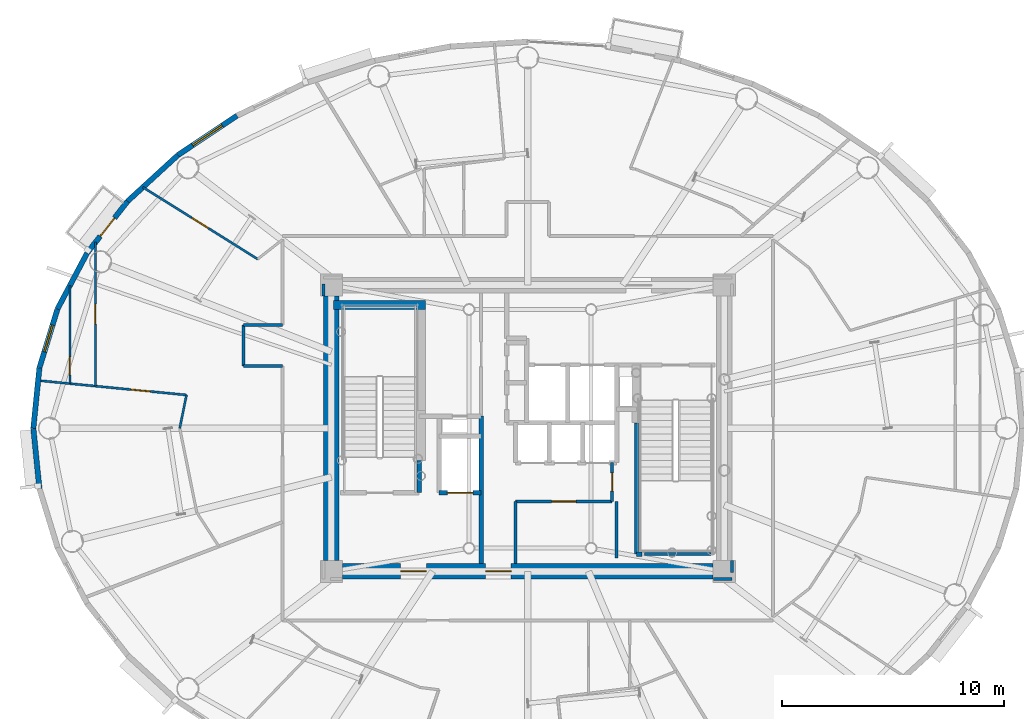
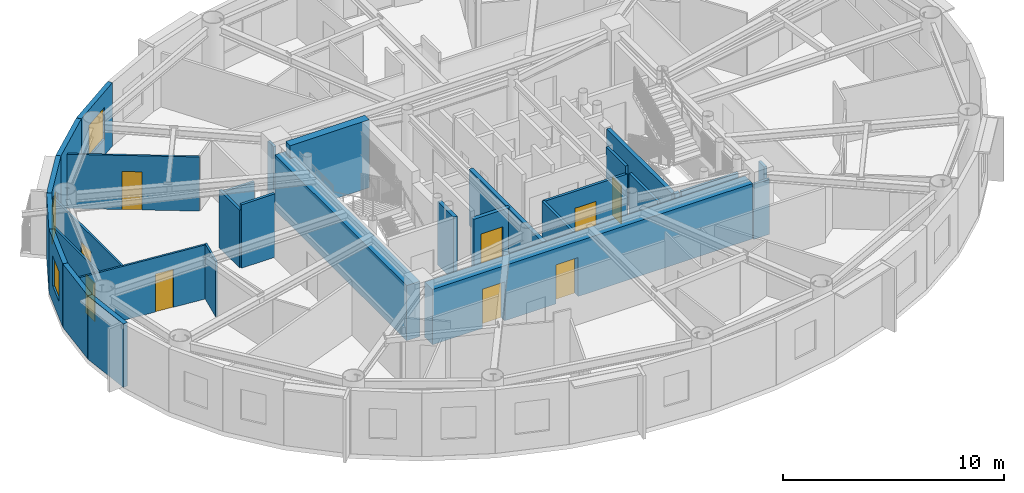
# One storey, part 8 of 18: 31 walls, 10 doors, 2 windows, 12 openings.
"""IFC4 building model written with IfcOpenShell, lengths in metres."""

from ifc_helpers import new_model, si_unit, direction, frame, frame_2d, origin, origin_2d, place, context, subcontext, project, spatial, rectangle, extrude, source, transform, mapped, material, layer, layer_set, type_object, element, fill, save


model = new_model("IFC4")

# Units and contexts
model_context = context("Model", 3, precision=1e-05, world=origin(), true_north=direction((0.0, 1.0)))
body_context = subcontext(model_context, "Body", "Model", "MODEL_VIEW")
ifc_project = project(units=[si_unit("LENGTHUNIT", "METRE"), si_unit("AREAUNIT", "SQUARE_METRE"), si_unit("VOLUMEUNIT", "CUBIC_METRE"), si_unit("PLANEANGLEUNIT", "RADIAN"), si_unit("MASSUNIT", "GRAM", prefix="KILO")], contexts=[model_context])

# Site, building, storey
site_placement = place(None, origin())
site = spatial("IfcSite", under=ifc_project, at=site_placement, CompositionType="ELEMENT")
building_placement = place(site_placement, origin())
building = spatial("IfcBuilding", under=site, at=building_placement, Name="Linh Dai School and Residence Tower", CompositionType="ELEMENT")
storey_placement = place(building_placement, frame((0.0, 0.0, 291.75)))
storey = spatial("IfcBuildingStorey", under=building, at=storey_placement, Name="L72", CompositionType="ELEMENT", Elevation=291.75)

# Wall, opening, window
ifc_material_1 = material(Name="Precast Concrete B45 (C35/45)", Category="concrete")
ifc_layer_1 = layer(ifc_material_1, 0.239990234375)
ifc_layer_set_1 = layer_set([ifc_layer_1], Name="Precast Concrete B45 (C35/45)")
wall_type_1 = type_object("IfcWallType", Name="EW-TC-240", PredefinedType="SOLIDWALL", material=ifc_layer_set_1)
wall_1_placement = place(storey_placement, frame((20.23779296875, 39.30419921875, 0.0), z_axis=(0.0, 0.0, 1.0), x_axis=(0.831250592635, 0.55589787933, 0.0)))
wall_1 = element("IfcWall", 1, at=wall_1_placement, inside=storey, type_object=wall_type_1, Name="L72 Terracotta Exterior Wall 15", PredefinedType="SOLIDWALL", context=body_context, shape_type="SweptSolid", body=[
    extrude(rectangle(XDim=3.197265625, YDim=0.239990234375, at=frame_2d((1.5986328125, 0.0))), origin(), (0.0, 0.0, 1.0), 3.5),
])
opening_1_placement = place(wall_1_placement, frame((0.798583984375, 0.0, 0.89990234375)))
opening_1 = element("IfcOpeningElement", 2, at=opening_1_placement, cuts=wall_1, Name="Opening W2", PredefinedType="OPENING", context=body_context, shape_type="SweptSolid", body=[
    extrude(rectangle(XDim=1.60009765625, YDim=1.75, at=origin_2d()), frame((0.800048828125, 0.1298828125, 0.875), z_axis=(0.0, -1.0, 0.0), x_axis=(1.0, 0.0, 0.0)), (0.0, 0.0, 1.0), 0.260009765625),
])
ifc_material_2 = material(Name="Double Low-E Insulated Glazing", Category="glass")
window_type_1 = type_object("IfcWindowType", Name="WN-RES-1600x1750", PartitioningType="DOUBLE_PANEL_VERTICAL", PredefinedType="WINDOW", material=ifc_material_2)
shared_shape_1 = source(origin(), body_context, "Body", "SweptSolid", [
    extrude(rectangle(XDim=1.60009765625, YDim=1.75, at=origin_2d()), frame((0.800048828125, 0.030029296875, 0.875), z_axis=(0.0, -1.0, 0.0), x_axis=(1.0, 0.0, 0.0)), (0.0, 0.0, 1.0), 0.06005859375),
])
window_1_placement = place(opening_1_placement, origin())
window_1 = element("IfcWindow", 3, at=window_1_placement, inside=storey, type_object=window_type_1, Name="L72 Exterior Window 15.1", OverallHeight=1.75, OverallWidth=1.60009765625, PartitioningType="DOUBLE_PANEL_VERTICAL", PredefinedType="WINDOW", context=body_context, shape_type="MappedRepresentation", body=[
    mapped(shared_shape_1, transform((0.0, 0.0, 0.0), x_axis=(1.0, 0.0, 0.0), y_axis=(0.0, 1.0, 0.0), z_axis=(0.0, 0.0, 1.0), scale=1.0)),
])
fill(opening_1, window_1)

# Wall
wall_2_placement = place(storey_placement, frame((17.9697265625, 37.224609375, 0.0), z_axis=(0.0, 0.0, 1.0), x_axis=(0.737068506972, 0.675818034703, 0.0)))
element("IfcWall", 4, at=wall_2_placement, inside=storey, type_object=wall_type_1, Name="L72 Terracotta Exterior Wall 16", PredefinedType="SOLIDWALL", context=body_context, shape_type="SweptSolid", body=[
    extrude(rectangle(XDim=3.0771484375, YDim=0.239990234375, at=frame_2d((1.53857421875, 0.0))), origin(), (0.0, 0.0, 1.0), 3.5),
])

# Wall, opening, door
wall_3_placement = place(storey_placement, frame((16.146240234375, 34.894775390625, 0.0), z_axis=(0.0, 0.0, 1.0), x_axis=(0.616337186556, 0.787482363275, 0.0)))
wall_3 = element("IfcWall", 5, at=wall_3_placement, inside=storey, type_object=wall_type_1, Name="L72 Terracotta Exterior Wall 17", PredefinedType="SOLIDWALL", context=body_context, shape_type="SweptSolid", body=[
    extrude(rectangle(XDim=2.95849609375, YDim=0.239990234375, at=frame_2d((1.479248046875, 0.0))), origin(), (0.0, 0.0, 1.0), 3.5),
])
opening_2_placement = place(wall_3_placement, frame((0.954345703125, 0.0, 0.0)))
opening_2 = element("IfcOpeningElement", 6, at=opening_2_placement, cuts=wall_3, Name="Opening BD1", PredefinedType="OPENING", context=body_context, shape_type="SweptSolid", body=[
    extrude(rectangle(XDim=1.050048828125, YDim=2.14990234375, at=origin_2d()), frame((0.52490234375, 0.1298828125, 1.074951171875), z_axis=(0.0, -1.0, 0.0), x_axis=(1.0, 0.0, 0.0)), (0.0, 0.0, 1.0), 0.260009765625),
])
ifc_material_3 = material(Name="Double-Glazed Balcony Door", Category="glass")
door_type_1 = type_object("IfcDoorType", Name="DR-BALC-1050x2150", OperationType="NOTDEFINED", PredefinedType="DOOR", material=ifc_material_3)
shared_shape_2 = source(origin(), body_context, "Body", "SweptSolid", [
    extrude(rectangle(XDim=1.050048828125, YDim=2.14990234375, at=origin_2d()), frame((0.52490234375, 0.02490234375, 1.074951171875), z_axis=(0.0, -1.0, 0.0), x_axis=(1.0, 0.0, 0.0)), (0.0, 0.0, 1.0), 0.050048828125),
])
door_1_placement = place(opening_2_placement, origin())
door_1 = element("IfcDoor", 7, at=door_1_placement, inside=storey, type_object=door_type_1, Name="L72 Glazed Balcony Door 17", OperationType="SINGLE_SWING_RIGHT", OverallHeight=2.14990234375, OverallWidth=1.050048828125, PredefinedType="DOOR", context=body_context, shape_type="MappedRepresentation", body=[
    mapped(shared_shape_2, transform((0.0, 0.0, 0.0), x_axis=(1.0, 0.0, 0.0), y_axis=(0.0, 1.0, 0.0), z_axis=(0.0, 0.0, 1.0), scale=1.0)),
])
fill(opening_2, door_1)

# Wall
wall_4_placement = place(storey_placement, frame((14.811767578125, 32.372314453125, 0.0), z_axis=(0.0, 0.0, 1.0), x_axis=(0.467628269026, 0.883925224218, 0.0)))
element("IfcWall", 8, at=wall_4_placement, inside=storey, type_object=wall_type_1, Name="L72 Terracotta Exterior Wall 18", PredefinedType="SOLIDWALL", context=body_context, shape_type="SweptSolid", body=[
    extrude(rectangle(XDim=2.853759765625, YDim=0.239990234375, at=frame_2d((1.4267578125, 0.0))), origin(), (0.0, 0.0, 1.0), 3.5),
])

# Wall, opening, window
wall_5_placement = place(storey_placement, frame((13.998291015625, 29.718994140625, 0.0), z_axis=(0.0, 0.0, 1.0), x_axis=(0.2931213403, 0.956075248012, 0.0)))
wall_5 = element("IfcWall", 9, at=wall_5_placement, inside=storey, type_object=wall_type_1, Name="L72 Terracotta Exterior Wall 19", PredefinedType="SOLIDWALL", context=body_context, shape_type="SweptSolid", body=[
    extrude(rectangle(XDim=2.775146484375, YDim=0.239990234375, at=frame_2d((1.3876953125, 0.0))), origin(), (0.0, 0.0, 1.0), 3.5),
])
opening_3_placement = place(wall_5_placement, frame((0.7626953125, 0.0, 0.89990234375)))
opening_3 = element("IfcOpeningElement", 10, at=opening_3_placement, cuts=wall_5, Name="Opening W3", PredefinedType="OPENING", context=body_context, shape_type="SweptSolid", body=[
    extrude(rectangle(XDim=1.25, YDim=1.64990234375, at=origin_2d()), frame((0.625, 0.1298828125, 0.824951171875), z_axis=(0.0, -1.0, 0.0), x_axis=(1.0, 0.0, 0.0)), (0.0, 0.0, 1.0), 0.260009765625),
])
window_type_2 = type_object("IfcWindowType", Name="WN-RES-1250x1650", PartitioningType="SINGLE_PANEL", PredefinedType="WINDOW", material=ifc_material_2)
shared_shape_3 = source(origin(), body_context, "Body", "SweptSolid", [
    extrude(rectangle(XDim=1.25, YDim=1.64990234375, at=origin_2d()), frame((0.625, 0.030029296875, 0.824951171875), z_axis=(0.0, -1.0, 0.0), x_axis=(1.0, 0.0, 0.0)), (0.0, 0.0, 1.0), 0.06005859375),
])
window_2_placement = place(opening_3_placement, origin())
window_2 = element("IfcWindow", 11, at=window_2_placement, inside=storey, type_object=window_type_2, Name="L72 Exterior Window 19.1", OverallHeight=1.64990234375, OverallWidth=1.25, PartitioningType="SINGLE_PANEL", PredefinedType="WINDOW", context=body_context, shape_type="MappedRepresentation", body=[
    mapped(shared_shape_3, transform((0.0, 0.0, 0.0), x_axis=(1.0, 0.0, 0.0), y_axis=(0.0, 1.0, 0.0), z_axis=(0.0, 0.0, 1.0), scale=1.0)),
])
fill(opening_3, window_2)

# Walls
for number, where, z_axis, x_axis, name in (
    (12, (13.72509765625, 27.0, 0.0), (0.0, 0.0, 1.0), (0.099972526841, 0.99499019788, 0.0), "L72 Terracotta Exterior Wall 20"),
    (13, (13.998291015625, 24.281005859375, 0.0), (0.0, 0.0, 1.0), (-0.099972526841, 0.99499019788, 0.0), "L72 Terracotta Exterior Wall 21"),
):
    element("IfcWall", number, at=place(storey_placement, frame(where, z_axis=z_axis, x_axis=x_axis)), inside=storey, type_object=wall_type_1, Name=name, PredefinedType="SOLIDWALL", context=body_context, shape_type="SweptSolid", body=[
        extrude(rectangle(XDim=2.732666015625, YDim=0.239990234375, at=frame_2d((1.3662109375, 0.0))), origin(), (0.0, 0.0, 1.0), 3.5),
    ])
ifc_material_4 = material(Name="Autoclaved Aerated Concrete Blockwork", Category="masonry")
ifc_layer_2 = layer(ifc_material_4, 0.135009765625)
ifc_layer_set_2 = layer_set([ifc_layer_2], Name="Autoclaved Aerated Concrete Blockwork")
wall_type_2 = type_object("IfcWallType", Name="IW-CORR-135-EI90", PredefinedType="PARTITIONING", material=ifc_layer_set_2)
wall_6_placement = place(storey_placement, frame((23.199951171875, 29.800048828125, 0.0), z_axis=(0.0, 0.0, 1.0), x_axis=(0.0, 1.0, 0.0)))
element("IfcWall", 14, at=wall_6_placement, inside=storey, type_object=wall_type_2, Name="L72 Interior Partition Wall 010", PredefinedType="PARTITIONING", context=body_context, shape_type="SweptSolid", body=[
    extrude(rectangle(XDim=1.849853515625, YDim=0.135009765625, at=frame_2d((0.9248046875, 0.0))), origin(), (0.0, 0.0, 1.0), 3.18505859375),
])
wall_7_placement = place(storey_placement, frame((23.199951171875, 29.800048828125, 0.0), z_axis=(0.0, 0.0, 1.0), x_axis=(1.0, 0.0, 0.0)))
element("IfcWall", 15, at=wall_7_placement, inside=storey, type_object=wall_type_2, Name="L72 Interior Partition Wall 011", PredefinedType="PARTITIONING", context=body_context, shape_type="SweptSolid", body=[
    extrude(rectangle(XDim=1.75, YDim=0.135009765625, at=frame_2d((0.875, 0.0))), origin(), (0.0, 0.0, 1.0), 3.5),
])
wall_8_placement = place(storey_placement, frame((23.199951171875, 31.64990234375, 0.0), z_axis=(0.0, 0.0, 1.0), x_axis=(1.0, 0.0, 0.0)))
element("IfcWall", 16, at=wall_8_placement, inside=storey, type_object=wall_type_2, Name="L72 Interior Partition Wall 012", PredefinedType="PARTITIONING", context=body_context, shape_type="SweptSolid", body=[
    extrude(rectangle(XDim=1.75, YDim=0.135009765625, at=frame_2d((0.875, 0.0))), origin(), (0.0, 0.0, 1.0), 3.034912109375),
])
wall_9_placement = place(storey_placement, frame((35.449951171875, 20.89990234375, 0.0), z_axis=(0.0, 0.0, 1.0), x_axis=(0.0, 1.0, 0.0)))
element("IfcWall", 17, at=wall_9_placement, inside=storey, type_object=wall_type_2, Name="L72 Interior Partition Wall 044", PredefinedType="PARTITIONING", context=body_context, shape_type="SweptSolid", body=[
    extrude(rectangle(XDim=2.800048828125, YDim=0.135009765625, at=frame_2d((1.39990234375, 0.0))), origin(), (0.0, 0.0, 1.0), 3.0849609375),
])

# Wall, opening, door
wall_10_placement = place(storey_placement, frame((35.449951171875, 23.699951171875, 0.0), z_axis=(0.0, 0.0, 1.0), x_axis=(1.0, 0.0, 0.0)))
wall_10 = element("IfcWall", 18, at=wall_10_placement, inside=storey, type_object=wall_type_2, Name="L72 Interior Partition Wall 045", PredefinedType="PARTITIONING", context=body_context, shape_type="SweptSolid", body=[
    extrude(rectangle(XDim=4.35009765625, YDim=0.135009765625, at=frame_2d((2.175048828125, 0.0))), origin(), (0.0, 0.0, 1.0), 3.0849609375),
])
opening_4_placement = place(wall_10_placement, frame((1.625, 0.0, 0.0)))
opening_4 = element("IfcOpeningElement", 19, at=opening_4_placement, cuts=wall_10, Name="Opening D07", PredefinedType="OPENING", context=body_context, shape_type="SweptSolid", body=[
    extrude(rectangle(XDim=1.10009765625, YDim=2.14990234375, at=origin_2d()), frame((0.550048828125, 0.07763671875, 1.074951171875), z_axis=(0.0, -1.0, 0.0), x_axis=(1.0, 0.0, 0.0)), (0.0, 0.0, 1.0), 0.155029296875),
])
ifc_material_5 = material(Name="Fire-Rated Louvred Steel Plant Door", Category="steel")
door_type_2 = type_object("IfcDoorType", Name="DR-PLT-1100x2150-FD60S", OperationType="NOTDEFINED", PredefinedType="DOOR", material=ifc_material_5)
shared_shape_4 = source(origin(), body_context, "Body", "SweptSolid", [
    extrude(rectangle(XDim=1.10009765625, YDim=2.14990234375, at=origin_2d()), frame((0.550048828125, 0.02490234375, 1.074951171875), z_axis=(0.0, -1.0, 0.0), x_axis=(1.0, 0.0, 0.0)), (0.0, 0.0, 1.0), 0.050048828125),
])
door_2_placement = place(opening_4_placement, origin())
door_2 = element("IfcDoor", 20, at=door_2_placement, inside=storey, type_object=door_type_2, Name="L72 Tenant Metering and BMS Room Door", OperationType="SINGLE_SWING_RIGHT", OverallHeight=2.14990234375, OverallWidth=1.10009765625, PredefinedType="DOOR", context=body_context, shape_type="MappedRepresentation", body=[
    mapped(shared_shape_4, transform((0.0, 0.0, 0.0), x_axis=(1.0, 0.0, 0.0), y_axis=(0.0, 1.0, 0.0), z_axis=(0.0, 0.0, 1.0), scale=1.0)),
])
fill(opening_4, door_2)

wall_11_placement = place(storey_placement, frame((39.800048828125, 23.699951171875, 0.0), z_axis=(0.0, 0.0, 1.0), x_axis=(0.0, 1.0, 0.0)))
wall_11 = element("IfcWall", 21, at=wall_11_placement, inside=storey, type_object=wall_type_2, Name="L72 Interior Partition Wall 058", PredefinedType="PARTITIONING", context=body_context, shape_type="SweptSolid", body=[
    extrude(rectangle(XDim=1.75, YDim=0.135009765625, at=frame_2d((0.875, 0.0))), origin(), (0.0, 0.0, 1.0), 3.5),
])
opening_5_placement = place(wall_11_placement, frame((0.465087890625, 0.0, 0.0)))
opening_5 = element("IfcOpeningElement", 22, at=opening_5_placement, cuts=wall_11, Name="Opening D06", PredefinedType="OPENING", context=body_context, shape_type="SweptSolid", body=[
    extrude(rectangle(XDim=0.820068359375, YDim=2.10009765625, at=origin_2d()), frame((0.41015625, 0.07763671875, 1.050048828125), z_axis=(0.0, -1.0, 0.0), x_axis=(1.0, 0.0, 0.0)), (0.0, 0.0, 1.0), 0.155029296875),
])
ifc_material_6 = material(Name="Moisture-Resistant Timber Bathroom Door", Category="wood")
door_type_3 = type_object("IfcDoorType", Name="DR-WET-820x2100", OperationType="NOTDEFINED", PredefinedType="DOOR", material=ifc_material_6)
shared_shape_5 = source(origin(), body_context, "Body", "SweptSolid", [
    extrude(rectangle(XDim=0.820068359375, YDim=2.10009765625, at=origin_2d()), frame((0.41015625, 0.02490234375, 1.050048828125), z_axis=(0.0, -1.0, 0.0), x_axis=(1.0, 0.0, 0.0)), (0.0, 0.0, 1.0), 0.050048828125),
])
door_3_placement = place(opening_5_placement, origin())
door_3 = element("IfcDoor", 23, at=door_3_placement, inside=storey, type_object=door_type_3, Name="L72 Core Housekeeping Store Door", OperationType="SINGLE_SWING_RIGHT", OverallHeight=2.10009765625, OverallWidth=0.820068359375, PredefinedType="DOOR", context=body_context, shape_type="MappedRepresentation", body=[
    mapped(shared_shape_5, transform((0.0, 0.0, 0.0), x_axis=(1.0, 0.0, 0.0), y_axis=(0.0, 1.0, 0.0), z_axis=(0.0, 0.0, 1.0), scale=1.0)),
])
fill(opening_5, door_3)

# Walls
wall_12_placement = place(storey_placement, frame((44.239990234375, 21.330078125, 0.0), z_axis=(0.0, 0.0, 1.0), x_axis=(-1.0, 0.0, 0.0)))
element("IfcWall", 24, at=wall_12_placement, inside=storey, type_object=wall_type_2, Name="L72 Interior Partition Wall 082", PredefinedType="PARTITIONING", context=body_context, shape_type="SweptSolid", body=[
    extrude(rectangle(XDim=2.97998046875, YDim=0.135009765625, at=frame_2d((1.489990234375, 0.0))), origin(), (0.0, 0.0, 1.0), 3.034912109375),
])
wall_13_placement = place(storey_placement, frame((40.0, 23.699951171875, 0.0), z_axis=(0.0, 0.0, 1.0), x_axis=(0.0, -1.0, 0.0)))
element("IfcWall", 25, at=wall_13_placement, inside=storey, type_object=wall_type_2, Name="L72 Interior Partition Wall 083", PredefinedType="PARTITIONING", context=body_context, shape_type="SweptSolid", body=[
    extrude(rectangle(XDim=2.5400390625, YDim=0.135009765625, at=frame_2d((1.27001953125, 0.0))), origin(), (0.0, 0.0, 1.0), 3.034912109375),
])
wall_14_placement = place(storey_placement, frame((26.800048828125, 33.492431640625, 0.0), z_axis=(0.0, 0.0, 1.0), x_axis=(0.0, -1.0, 0.0)))
element("IfcWall", 26, at=wall_14_placement, inside=storey, type_object=wall_type_2, Name="L72 Interior Partition Wall 086", PredefinedType="PARTITIONING", context=body_context, shape_type="SweptSolid", body=[
    extrude(rectangle(XDim=0.532470703125, YDim=0.135009765625, at=frame_2d((0.26611328125, 0.0))), origin(), (0.0, 0.0, 1.0), 3.5),
])
wall_15_placement = place(storey_placement, frame((44.360107421875, 20.199951171875, 0.0), z_axis=(0.0, 0.0, 1.0), x_axis=(1.0, 0.0, 0.0)))
element("IfcWall", 27, at=wall_15_placement, inside=storey, type_object=wall_type_2, Name="L72 Interior Partition Wall 089", PredefinedType="PARTITIONING", context=body_context, shape_type="SweptSolid", body=[
    extrude(rectangle(XDim=0.83984375, YDim=0.135009765625, at=frame_2d((0.419921875, 0.0))), origin(), (0.0, 0.0, 1.0), 3.034912109375),
])
wall_16_placement = place(storey_placement, frame((45.199951171875, 20.507568359375, 0.0), z_axis=(0.0, 0.0, 1.0), x_axis=(0.0, 1.0, 0.0)))
element("IfcWall", 28, at=wall_16_placement, inside=storey, type_object=wall_type_2, Name="L72 Interior Partition Wall 090", PredefinedType="PARTITIONING", context=body_context, shape_type="SweptSolid", body=[
    extrude(rectangle(XDim=0.532470703125, YDim=0.135009765625, at=frame_2d((0.26611328125, 0.0))), origin(), (0.0, 0.0, 1.0), 3.5),
])
ifc_material_7 = material(Name="Concrete B45 (C35/45)", Category="concrete")
ifc_layer_3 = layer(ifc_material_7, 0.199951171875)
ifc_layer_set_3 = layer_set([ifc_layer_3], Name="Concrete B45 (C35/45)")
wall_type_3 = type_object("IfcWallType", Name="IW-SHAFT-200-EI120", PredefinedType="PARTITIONING", material=ifc_layer_set_3)
wall_17_placement = place(storey_placement, frame((31.10009765625, 24.10009765625, 0.0), z_axis=(0.0, 0.0, 1.0), x_axis=(0.0, 1.0, 0.0)))
element("IfcWall", 29, at=wall_17_placement, inside=storey, type_object=wall_type_3, Name="L72 Interior Partition Wall 024", PredefinedType="PARTITIONING", context=body_context, shape_type="SweptSolid", body=[
    extrude(rectangle(XDim=1.43994140625, YDim=0.199951171875, at=frame_2d((0.719970703125, 0.0))), origin(), (0.0, 0.0, 1.0), 3.5),
])

# Wall, opening, door
wall_18_placement = place(storey_placement, frame((32.0, 24.10009765625, 0.0), z_axis=(0.0, 0.0, 1.0), x_axis=(1.0, 0.0, 0.0)))
wall_18 = element("IfcWall", 30, at=wall_18_placement, inside=storey, type_object=wall_type_3, Name="L72 Interior Partition Wall 030", PredefinedType="PARTITIONING", context=body_context, shape_type="SweptSolid", body=[
    extrude(rectangle(XDim=1.89990234375, YDim=0.199951171875, at=frame_2d((0.949951171875, 0.0))), origin(), (0.0, 0.0, 1.0), 3.0849609375),
])
opening_6_placement = place(wall_18_placement, frame((0.375, 0.0, 0.0)))
opening_6 = element("IfcOpeningElement", 31, at=opening_6_placement, cuts=wall_18, Name="Opening LD-FF2", PredefinedType="OPENING", context=body_context, shape_type="SweptSolid", body=[
    extrude(rectangle(XDim=1.14990234375, YDim=2.14990234375, at=origin_2d()), frame((0.574951171875, 0.10986328125, 1.074951171875), z_axis=(0.0, -1.0, 0.0), x_axis=(1.0, 0.0, 0.0)), (0.0, 0.0, 1.0), 0.219970703125),
])
ifc_material_8 = material(Name="Fire-Rated Stainless Steel Firefighting Lift Door", Category="steel")
door_type_4 = type_object("IfcDoorType", Name="DR-LD-FF-1150x2150-FD120", OperationType="DOUBLE_DOOR_SLIDING", PredefinedType="USERDEFINED", material=ifc_material_8)
shared_shape_6 = source(origin(), body_context, "Body", "SweptSolid", [
    extrude(rectangle(XDim=1.14990234375, YDim=2.14990234375, at=origin_2d()), frame((0.574951171875, 0.02490234375, 1.074951171875), z_axis=(0.0, -1.0, 0.0), x_axis=(1.0, 0.0, 0.0)), (0.0, 0.0, 1.0), 0.050048828125),
])
door_4_placement = place(opening_6_placement, origin())
door_4 = element("IfcDoor", 32, at=door_4_placement, inside=storey, type_object=door_type_4, Name="L72 Lift FF2 Sliding Landing Door", ObjectType="LANDING DOOR", OperationType="DOUBLE_DOOR_SLIDING", OverallHeight=2.14990234375, OverallWidth=1.14990234375, PredefinedType="USERDEFINED", context=body_context, shape_type="MappedRepresentation", body=[
    mapped(shared_shape_6, transform((0.0, 0.0, 0.0), x_axis=(1.0, 0.0, 0.0), y_axis=(0.0, 1.0, 0.0), z_axis=(0.0, 0.0, 1.0), scale=1.0)),
])
fill(opening_6, door_4)

# Walls
wall_19_placement = place(storey_placement, frame((33.89990234375, 20.89990234375, 0.0), z_axis=(0.0, 0.0, 1.0), x_axis=(0.0, 1.0, 0.0)))
element("IfcWall", 33, at=wall_19_placement, inside=storey, type_object=wall_type_3, Name="L72 Interior Partition Wall 033", PredefinedType="PARTITIONING", context=body_context, shape_type="SweptSolid", body=[
    extrude(rectangle(XDim=6.650146484375, YDim=0.199951171875, at=frame_2d((3.3251953125, 0.0))), origin(), (0.0, 0.0, 1.0), 3.0849609375),
])
wall_20_placement = place(storey_placement, frame((40.89990234375, 21.330078125, 0.0), z_axis=(0.0, 0.0, 1.0), x_axis=(0.0, 1.0, 0.0)))
element("IfcWall", 34, at=wall_20_placement, inside=storey, type_object=wall_type_3, Name="L72 Interior Partition Wall 066", PredefinedType="PARTITIONING", context=body_context, shape_type="SweptSolid", body=[
    extrude(rectangle(XDim=5.909912109375, YDim=0.199951171875, at=frame_2d((2.955078125, 0.0))), origin(), (0.0, 0.0, 1.0), 3.034912109375),
])
wall_21_placement = place(storey_placement, frame((40.89990234375, 21.330078125, 0.0), z_axis=(0.0, 0.0, 1.0), x_axis=(1.0, 0.0, 0.0)))
element("IfcWall", 35, at=wall_21_placement, inside=storey, type_object=wall_type_3, Name="L72 Interior Partition Wall 067", PredefinedType="PARTITIONING", context=body_context, shape_type="SweptSolid", body=[
    extrude(rectangle(XDim=0.25, YDim=0.199951171875, at=frame_2d((0.125, 0.0))), origin(), (0.0, 0.0, 1.0), 3.034912109375),
])

# Wall, opening, door
ifc_material_9 = material(Name="Gypsum Plasterboard Acoustic Stud Partition", Category="masonry")
ifc_layer_4 = layer(ifc_material_9, 0.10009765625)
ifc_layer_set_4 = layer_set([ifc_layer_4], Name="Gypsum Plasterboard Acoustic Stud Partition")
wall_type_4 = type_object("IfcWallType", Name="IW-UNIT-100", PredefinedType="PARTITIONING", material=ifc_layer_set_4)
wall_22_placement = place(storey_placement, frame((13.936279296875, 29.15087890625, 0.0), z_axis=(0.0, 0.0, 1.0), x_axis=(0.995282339379, -0.097020950936, 0.0)))
wall_22 = element("IfcWall", 36, at=wall_22_placement, inside=storey, type_object=wall_type_4, Name="L72 Interior Partition Wall 001", PredefinedType="PARTITIONING", context=body_context, shape_type="SweptSolid", body=[
    extrude(rectangle(XDim=6.71875, YDim=0.10009765625, at=frame_2d((3.359375, 0.0))), origin(), (0.0, 0.0, 1.0), 2.985107421875),
])
opening_7_placement = place(wall_22_placement, frame((4.187744140625, 0.0, 0.0)))
opening_7 = element("IfcOpeningElement", 37, at=opening_7_placement, cuts=wall_22, Name="Opening D05", PredefinedType="OPENING", context=body_context, shape_type="SweptSolid", body=[
    extrude(rectangle(XDim=0.89990234375, YDim=2.10009765625, at=origin_2d()), frame((0.449951171875, 0.06005859375, 1.050048828125), z_axis=(0.0, -1.0, 0.0), x_axis=(1.0, 0.0, 0.0)), (0.0, 0.0, 1.0), 0.1201171875),
])
ifc_material_10 = material(Name="Engineered Timber Internal Door", Category="wood")
door_type_5 = type_object("IfcDoorType", Name="DR-INT-900x2100", OperationType="NOTDEFINED", PredefinedType="DOOR", material=ifc_material_10)
shared_shape_7 = source(origin(), body_context, "Body", "SweptSolid", [
    extrude(rectangle(XDim=0.89990234375, YDim=2.10009765625, at=origin_2d()), frame((0.449951171875, 0.02490234375, 1.050048828125), z_axis=(0.0, -1.0, 0.0), x_axis=(1.0, 0.0, 0.0)), (0.0, 0.0, 1.0), 0.050048828125),
])
door_5_placement = place(opening_7_placement, origin())
door_5 = element("IfcDoor", 38, at=door_5_placement, inside=storey, type_object=door_type_5, Name="L72 Apartment U7202 Principal Bedroom 2 Door", OperationType="SINGLE_SWING_LEFT", OverallHeight=2.10009765625, OverallWidth=0.89990234375, PredefinedType="DOOR", context=body_context, shape_type="MappedRepresentation", body=[
    mapped(shared_shape_7, transform((0.0, 0.0, 0.0), x_axis=(1.0, 0.0, 0.0), y_axis=(0.0, 1.0, 0.0), z_axis=(0.0, 0.0, 1.0), scale=1.0)),
])
fill(opening_7, door_5)

wall_23_placement = place(storey_placement, frame((15.37109375, 29.010986328125, 0.0), z_axis=(0.0, 0.0, 1.0), x_axis=(0.0, 1.0, 0.0)))
wall_23 = element("IfcWall", 39, at=wall_23_placement, inside=storey, type_object=wall_type_4, Name="L72 Interior Partition Wall 002", PredefinedType="PARTITIONING", context=body_context, shape_type="SweptSolid", body=[
    extrude(rectangle(XDim=4.42919921875, YDim=0.10009765625, at=frame_2d((2.214599609375, 0.0))), origin(), (0.0, 0.0, 1.0), 2.985107421875),
])
opening_8_placement = place(wall_23_placement, frame((0.389404296875, 0.0, 0.0)))
opening_8 = element("IfcOpeningElement", 40, at=opening_8_placement, cuts=wall_23, Name="Opening D06", PredefinedType="OPENING", context=body_context, shape_type="SweptSolid", body=[
    extrude(rectangle(XDim=0.820068359375, YDim=2.10009765625, at=origin_2d()), frame((0.41015625, 0.06005859375, 1.050048828125), z_axis=(0.0, -1.0, 0.0), x_axis=(1.0, 0.0, 0.0)), (0.0, 0.0, 1.0), 0.1201171875),
])
door_6_placement = place(opening_8_placement, origin())
door_6 = element("IfcDoor", 41, at=door_6_placement, inside=storey, type_object=door_type_3, Name="L72 Apartment U7202 Bathroom 1 Door", OperationType="SINGLE_SWING_LEFT", OverallHeight=2.10009765625, OverallWidth=0.820068359375, PredefinedType="DOOR", context=body_context, shape_type="MappedRepresentation", body=[
    mapped(shared_shape_5, transform((0.0, 0.0, 0.0), x_axis=(1.0, 0.0, 0.0), y_axis=(0.0, 1.0, 0.0), z_axis=(0.0, 0.0, 1.0), scale=1.0)),
])
fill(opening_8, door_6)

wall_24_placement = place(storey_placement, frame((16.5205078125, 28.89892578125, 0.0), z_axis=(0.0, 0.0, 1.0), x_axis=(0.0, 1.0, 0.0)))
wall_24 = element("IfcWall", 42, at=wall_24_placement, inside=storey, type_object=wall_type_4, Name="L72 Interior Partition Wall 004", PredefinedType="PARTITIONING", context=body_context, shape_type="SweptSolid", body=[
    extrude(rectangle(XDim=6.482421875, YDim=0.10009765625, at=frame_2d((3.2412109375, 0.0))), origin(), (0.0, 0.0, 1.0), 2.985107421875),
])
opening_9_placement = place(wall_24_placement, frame((2.791259765625, 0.0, 0.0)))
opening_9 = element("IfcOpeningElement", 43, at=opening_9_placement, cuts=wall_24, Name="Opening D05", PredefinedType="OPENING", context=body_context, shape_type="SweptSolid", body=[
    extrude(rectangle(XDim=0.89990234375, YDim=2.10009765625, at=origin_2d()), frame((0.449951171875, 0.06005859375, 1.050048828125), z_axis=(0.0, -1.0, 0.0), x_axis=(1.0, 0.0, 0.0)), (0.0, 0.0, 1.0), 0.1201171875),
])
door_7_placement = place(opening_9_placement, origin())
door_7 = element("IfcDoor", 44, at=door_7_placement, inside=storey, type_object=door_type_5, Name="L72 Apartment U7202 Kitchen Door", OperationType="SINGLE_SWING_RIGHT", OverallHeight=2.10009765625, OverallWidth=0.89990234375, PredefinedType="DOOR", context=body_context, shape_type="MappedRepresentation", body=[
    mapped(shared_shape_7, transform((0.0, 0.0, 0.0), x_axis=(1.0, 0.0, 0.0), y_axis=(0.0, 1.0, 0.0), z_axis=(0.0, 0.0, 1.0), scale=1.0)),
])
fill(opening_9, door_7)

wall_25_placement = place(storey_placement, frame((18.65576171875, 37.860595703125, 0.0), z_axis=(0.0, 0.0, 1.0), x_axis=(0.847553170054, -0.530710489751, 0.0)))
wall_25 = element("IfcWall", 45, at=wall_25_placement, inside=storey, type_object=wall_type_4, Name="L72 Interior Partition Wall 005", PredefinedType="PARTITIONING", context=body_context, shape_type="SweptSolid", body=[
    extrude(rectangle(XDim=6.10498046875, YDim=0.10009765625, at=frame_2d((3.052490234375, 0.0))), origin(), (0.0, 0.0, 1.0), 2.985107421875),
])
opening_10_placement = place(wall_25_placement, frame((2.6025390625, 0.0, 0.0)))
opening_10 = element("IfcOpeningElement", 46, at=opening_10_placement, cuts=wall_25, Name="Opening D05", PredefinedType="OPENING", context=body_context, shape_type="SweptSolid", body=[
    extrude(rectangle(XDim=0.89990234375, YDim=2.10009765625, at=origin_2d()), frame((0.449951171875, 0.06005859375, 1.050048828125), z_axis=(0.0, -1.0, 0.0), x_axis=(1.0, 0.0, 0.0)), (0.0, 0.0, 1.0), 0.1201171875),
])
door_8_placement = place(opening_10_placement, origin())
door_8 = element("IfcDoor", 47, at=door_8_placement, inside=storey, type_object=door_type_5, Name="L72 Apartment U7202 Principal Bedroom 1 Door", OperationType="SINGLE_SWING_RIGHT", OverallHeight=2.10009765625, OverallWidth=0.89990234375, PredefinedType="DOOR", context=body_context, shape_type="MappedRepresentation", body=[
    mapped(shared_shape_7, transform((0.0, 0.0, 0.0), x_axis=(1.0, 0.0, 0.0), y_axis=(0.0, 1.0, 0.0), z_axis=(0.0, 0.0, 1.0), scale=1.0)),
])
fill(opening_10, door_8)

# Walls
wall_26_placement = place(storey_placement, frame((20.320068359375, 27.0, 0.0), z_axis=(0.0, 0.0, 1.0), x_axis=(0.198264574188, 0.98014853906, 0.0)))
element("IfcWall", 48, at=wall_26_placement, inside=storey, type_object=wall_type_4, Name="L72 Interior Partition Wall 006", PredefinedType="PARTITIONING", context=body_context, shape_type="SweptSolid", body=[
    extrude(rectangle(XDim=1.529296875, YDim=0.10009765625, at=frame_2d((0.7646484375, 0.0))), origin(), (0.0, 0.0, 1.0), 3.034912109375),
])
ifc_layer_5 = layer(ifc_material_7, 0.39990234375)
ifc_layer_set_5 = layer_set([ifc_layer_5], Name="Concrete B45 (C35/45)")
wall_type_5 = type_object("IfcWallType", Name="WL-CORE400", PredefinedType="SHEAR", material=ifc_layer_set_5)
wall_27_placement = place(storey_placement, frame((27.25, 32.550048828125, 0.0), z_axis=(0.0, 0.0, 1.0), x_axis=(1.0, 0.0, 0.0)))
element("IfcWall", 49, at=wall_27_placement, inside=storey, type_object=wall_type_5, Name="L72 Core Stair ST1 Bearing Wall N", PredefinedType="SHEAR", context=body_context, shape_type="SweptSolid", body=[
    extrude(rectangle(XDim=4.1298828125, YDim=0.39990234375, at=frame_2d((2.06494140625, 0.0))), origin(), (0.0, 0.0, 1.0), 3.75),
])

# Wall, openings, doors
ifc_layer_6 = layer(ifc_material_7, 0.699951171875)
ifc_layer_set_6 = layer_set([ifc_layer_6], Name="Concrete B45 (C35/45)")
wall_type_6 = type_object("IfcWallType", Name="WL-CORE700", PredefinedType="SHEAR", material=ifc_layer_set_6)
wall_28_placement = place(storey_placement, frame((44.35009765625, 20.550048828125, 0.0), z_axis=(0.0, 0.0, 1.0), x_axis=(-1.0, 0.0, 0.0)))
wall_28 = element("IfcWall", 50, at=wall_28_placement, inside=storey, type_object=wall_type_6, Name="L72 Central Core Shear Wall S", PredefinedType="SHEAR", context=body_context, shape_type="SweptSolid", body=[
    extrude(rectangle(XDim=16.7001953125, YDim=0.699951171875, at=frame_2d((8.35009765625, 0.0))), origin(), (0.0, 0.0, 1.0), 3.050048828125),
])
opening_11_placement = place(wall_28_placement, frame((12.925048828125, 0.0, 0.0)))
opening_11 = element("IfcOpeningElement", 51, at=opening_11_placement, cuts=wall_28, Name="Opening D02", PredefinedType="OPENING", context=body_context, shape_type="SweptSolid", body=[
    extrude(rectangle(XDim=1.14990234375, YDim=2.14990234375, at=origin_2d()), frame((0.574951171875, 0.35986328125, 1.074951171875), z_axis=(0.0, -1.0, 0.0), x_axis=(1.0, 0.0, 0.0)), (0.0, 0.0, 1.0), 0.719970703125),
])
opening_12_placement = place(wall_28_placement, frame((9.10009765625, 0.0, 0.0)))
opening_12 = element("IfcOpeningElement", 52, at=opening_12_placement, cuts=wall_28, Name="Opening D02", PredefinedType="OPENING", context=body_context, shape_type="SweptSolid", body=[
    extrude(rectangle(XDim=1.14990234375, YDim=2.14990234375, at=origin_2d()), frame((0.574951171875, 0.35986328125, 1.074951171875), z_axis=(0.0, -1.0, 0.0), x_axis=(1.0, 0.0, 0.0)), (0.0, 0.0, 1.0), 0.719970703125),
])
ifc_material_11 = material(Name="Fire-Rated Glazed Steel Lobby Door", Category="steel")
door_type_6 = type_object("IfcDoorType", Name="DR-LOBBY-1150x2150-FD90S", OperationType="NOTDEFINED", PredefinedType="DOOR", material=ifc_material_11)
shared_shape_8 = source(origin(), body_context, "Body", "SweptSolid", [
    extrude(rectangle(XDim=1.14990234375, YDim=2.14990234375, at=origin_2d()), frame((0.574951171875, 0.02490234375, 1.074951171875), z_axis=(0.0, -1.0, 0.0), x_axis=(1.0, 0.0, 0.0)), (0.0, 0.0, 1.0), 0.050048828125),
])
door_9_placement = place(opening_11_placement, origin())
door_9 = element("IfcDoor", 53, at=door_9_placement, inside=storey, type_object=door_type_6, Name="L72 Firefighting Lobby Door", OperationType="SINGLE_SWING_LEFT", OverallHeight=2.14990234375, OverallWidth=1.14990234375, PredefinedType="DOOR", context=body_context, shape_type="MappedRepresentation", body=[
    mapped(shared_shape_8, transform((0.0, 0.0, 0.0), x_axis=(1.0, 0.0, 0.0), y_axis=(0.0, 1.0, 0.0), z_axis=(0.0, 0.0, 1.0), scale=1.0)),
])
fill(opening_11, door_9)
door_10_placement = place(opening_12_placement, origin())
door_10 = element("IfcDoor", 54, at=door_10_placement, inside=storey, type_object=door_type_6, Name="L72 Passenger Foyer Access Door", OperationType="SINGLE_SWING_LEFT", OverallHeight=2.14990234375, OverallWidth=1.14990234375, PredefinedType="DOOR", context=body_context, shape_type="MappedRepresentation", body=[
    mapped(shared_shape_8, transform((0.0, 0.0, 0.0), x_axis=(1.0, 0.0, 0.0), y_axis=(0.0, 1.0, 0.0), z_axis=(0.0, 0.0, 1.0), scale=1.0)),
])
fill(opening_12, door_10)

# Wall
wall_29_placement = place(storey_placement, frame((27.14990234375, 21.050048828125, 0.0), z_axis=(0.0, 0.0, 1.0), x_axis=(0.0, 1.0, 0.0)))
element("IfcWall", 55, at=wall_29_placement, inside=storey, type_object=wall_type_6, Name="L72 Central Core Shear Wall W", PredefinedType="SHEAR", context=body_context, shape_type="SweptSolid", body=[
    extrude(rectangle(XDim=11.89990234375, YDim=0.699951171875, at=frame_2d((5.949951171875, 0.0))), origin(), (0.0, 0.0, 1.0), 3.050048828125),
])

save(model, "model.ifc")
